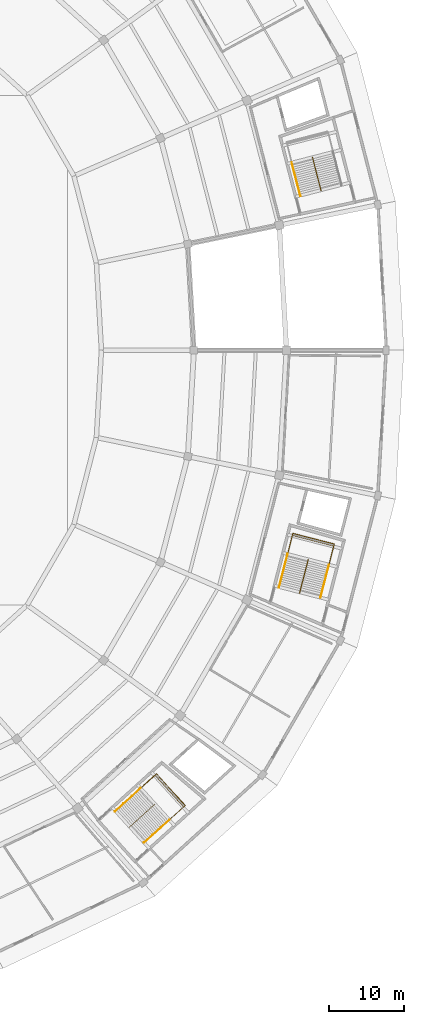
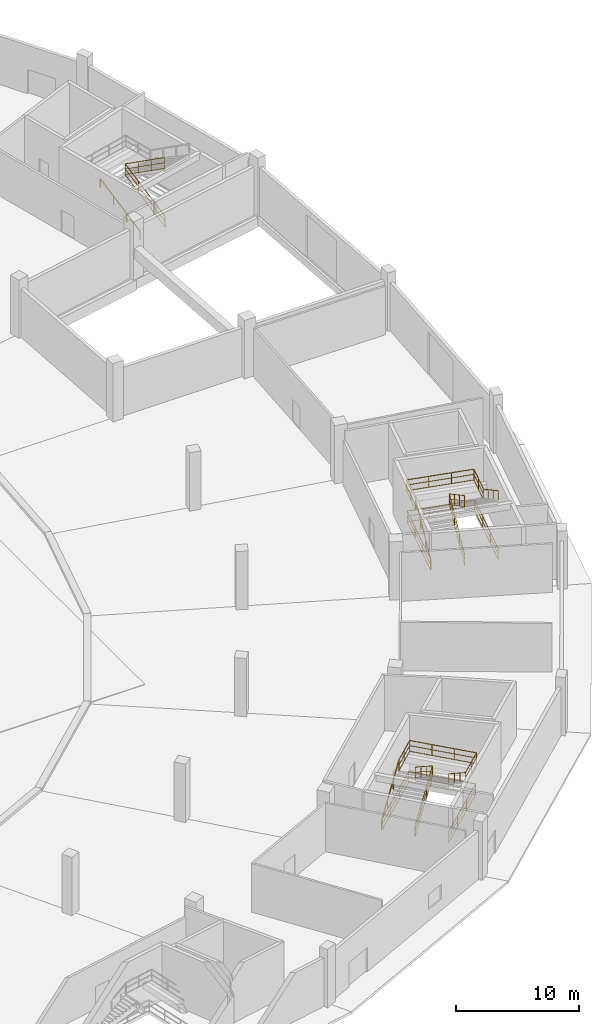
# One storey, part 45 of 48: 12 railings.
"""IFC4 building model written with IfcOpenShell, lengths in metres."""

from ifc_helpers import new_model, si_unit, direction, frame, origin, origin_2d, place, context, subcontext, project, spatial, rectangle, extrude, material, type_object, element, save


model = new_model("IFC4")

# Units and contexts
model_context = context("Model", 3, precision=1e-05, world=origin(), true_north=direction((0.0, 1.0)))
body_context = subcontext(model_context, "Body", "Model", "MODEL_VIEW")
ifc_project = project(units=[si_unit("LENGTHUNIT", "METRE"), si_unit("AREAUNIT", "SQUARE_METRE"), si_unit("VOLUMEUNIT", "CUBIC_METRE"), si_unit("PLANEANGLEUNIT", "RADIAN"), si_unit("MASSUNIT", "GRAM", prefix="KILO")], contexts=[model_context])

# Site, building, storey
site_placement = place(None, origin())
site = spatial("IfcSite", under=ifc_project, at=site_placement, CompositionType="ELEMENT")
building_placement = place(site_placement, origin())
building = spatial("IfcBuilding", under=site, at=building_placement, Name="Kazemori Nagisa Stadium", CompositionType="ELEMENT")
storey_placement = place(building_placement, origin())
storey = spatial("IfcBuildingStorey", under=building, at=storey_placement, Name="L00", CompositionType="ELEMENT", Elevation=0.0)

# Railings
ifc_material_1 = material(Name="Galvanised powder-coated steel", Category="steel")
railing_type_1 = type_object("IfcRailingType", Name="Rail_GUARD", PredefinedType="GUARDRAIL", material=ifc_material_1)
railing_1_placement = place(storey_placement, frame((209.31298828125, 123.2763671875, 0.0)))
element("IfcRailing", 1, at=railing_1_placement, inside=storey, type_object=railing_type_1, Name="Stair central guard ST07-L00", PredefinedType="GUARDRAIL", context=body_context, shape_type="SweptSolid", body=[
    extrude(rectangle(XDim=0.050048828125, YDim=0.050048828125, at=origin_2d()), frame((0.0, 0.0, 1.09521484375), z_axis=(-0.211793166726, 0.820384421027, 0.531143159859), x_axis=(-0.968254172483, -0.249967712854, 0.0)), (0.0, 0.0, 1.0), 5.44091796875),
    extrude(rectangle(XDim=0.03759765625, YDim=0.03759765625, at=origin_2d()), frame((0.0, 0.0, 0.58251953125), z_axis=(-0.211793166726, 0.820384421027, 0.531143159859), x_axis=(-0.968254172483, -0.249967712854, 0.0)), (0.0, 0.0, 1.0), 5.44091796875),
    extrude(rectangle(XDim=0.03759765625, YDim=0.03759765625, at=origin_2d()), frame((0.0, 0.0, 0.02490234375), z_axis=(-0.211793166726, 0.820384421027, 0.531143159859), x_axis=(-0.968254172483, -0.249967712854, 0.0)), (0.0, 0.0, 1.0), 5.44091796875),
    extrude(rectangle(XDim=0.050048828125, YDim=0.050048828125, at=origin_2d()), frame((-1.15234375, 4.463623046875, 3.98486328125), z_axis=(0.210725369025, -0.816276839134, 0.537854014342), x_axis=(0.968256288547, 0.249959516102, 0.0)), (0.0, 0.0, 1.0), 5.37353515625),
    extrude(rectangle(XDim=0.03759765625, YDim=0.03759765625, at=origin_2d()), frame((-1.15234375, 4.463623046875, 3.472412109375), z_axis=(0.210725369025, -0.816276839134, 0.537854014342), x_axis=(0.968256288547, 0.249959516102, 0.0)), (0.0, 0.0, 1.0), 5.37353515625),
    extrude(rectangle(XDim=0.03759765625, YDim=0.03759765625, at=origin_2d()), frame((-1.15234375, 4.463623046875, 2.9150390625), z_axis=(0.210725369025, -0.816276839134, 0.537854014342), x_axis=(0.968256288547, 0.249959516102, 0.0)), (0.0, 0.0, 1.0), 5.37353515625),
    extrude(rectangle(XDim=0.044921875, YDim=0.044921875, at=origin_2d()), origin(), (0.0, 0.0, 1.0), 1.070068359375),
    extrude(rectangle(XDim=0.044921875, YDim=0.044921875, at=origin_2d()), frame((-0.384033203125, 1.48779296875, 0.96337890625)), (0.0, 0.0, 1.0), 1.070068359375),
    extrude(rectangle(XDim=0.044921875, YDim=0.044921875, at=origin_2d()), frame((-0.768310546875, 2.975830078125, 1.926513671875)), (0.0, 0.0, 1.0), 1.070068359375),
    extrude(rectangle(XDim=0.044921875, YDim=0.044921875, at=origin_2d()), frame((-1.15234375, 4.463623046875, 2.889892578125)), (0.0, 0.0, 1.0), 1.070068359375),
    extrude(rectangle(XDim=0.044921875, YDim=0.044921875, at=origin_2d()), frame((-0.77490234375, 3.00146484375, 3.853271484375)), (0.0, 0.0, 1.0), 1.070068359375),
    extrude(rectangle(XDim=0.044921875, YDim=0.044921875, at=origin_2d()), frame((-0.3974609375, 1.53955078125, 4.816650390625)), (0.0, 0.0, 1.0), 1.070068359375),
    extrude(rectangle(XDim=0.044921875, YDim=0.044921875, at=origin_2d()), frame((-0.02001953125, 0.077392578125, 5.780029296875)), (0.0, 0.0, 1.0), 1.070068359375),
])
railing_2_placement = place(storey_placement, frame((181.87890625, 40.5205078125, 0.0)))
element("IfcRailing", 2, at=railing_2_placement, inside=storey, type_object=railing_type_1, Name="Stair well perimeter guard ST04-L00", PredefinedType="GUARDRAIL", context=body_context, shape_type="SweptSolid", body=[
    extrude(rectangle(XDim=0.050048828125, YDim=0.050048828125, at=origin_2d()), frame((0.0, 0.0, 1.09521484375), z_axis=(0.741333574744, 0.671136745349, 0.0), x_axis=(-0.671136745349, 0.741333574744, 0.0)), (0.0, 0.0, 1.0), 7.094970703125),
    extrude(rectangle(XDim=0.03759765625, YDim=0.03759765625, at=origin_2d()), frame((0.0, 0.0, 0.58251953125), z_axis=(0.741333574744, 0.671136745349, 0.0), x_axis=(-0.671136745349, 0.741333574744, 0.0)), (0.0, 0.0, 1.0), 7.094970703125),
    extrude(rectangle(XDim=0.03759765625, YDim=0.03759765625, at=origin_2d()), frame((0.0, 0.0, 0.02490234375), z_axis=(0.741333574744, 0.671136745349, 0.0), x_axis=(-0.671136745349, 0.741333574744, 0.0)), (0.0, 0.0, 1.0), 7.094970703125),
    extrude(rectangle(XDim=0.050048828125, YDim=0.050048828125, at=origin_2d()), frame((5.259765625, 4.76171875, 1.09521484375), z_axis=(0.671112926645, -0.74135513736, 0.0), x_axis=(0.74135513736, 0.671112926645, 0.0)), (0.0, 0.0, 1.0), 5.7001953125),
    extrude(rectangle(XDim=0.03759765625, YDim=0.03759765625, at=origin_2d()), frame((5.259765625, 4.76171875, 0.58251953125), z_axis=(0.671112926645, -0.74135513736, 0.0), x_axis=(0.74135513736, 0.671112926645, 0.0)), (0.0, 0.0, 1.0), 5.7001953125),
    extrude(rectangle(XDim=0.03759765625, YDim=0.03759765625, at=origin_2d()), frame((5.259765625, 4.76171875, 0.02490234375), z_axis=(0.671112926645, -0.74135513736, 0.0), x_axis=(0.74135513736, 0.671112926645, 0.0)), (0.0, 0.0, 1.0), 5.7001953125),
    extrude(rectangle(XDim=0.050048828125, YDim=0.050048828125, at=origin_2d()), frame((9.085205078125, 0.535888671875, 1.09521484375), z_axis=(-0.741366193318, -0.67110071331, 0.0), x_axis=(0.67110071331, -0.741366193318, 0.0)), (0.0, 0.0, 1.0), 7.094970703125),
    extrude(rectangle(XDim=0.03759765625, YDim=0.03759765625, at=origin_2d()), frame((9.085205078125, 0.535888671875, 0.58251953125), z_axis=(-0.741366193318, -0.67110071331, 0.0), x_axis=(0.67110071331, -0.741366193318, 0.0)), (0.0, 0.0, 1.0), 7.094970703125),
    extrude(rectangle(XDim=0.03759765625, YDim=0.03759765625, at=origin_2d()), frame((9.085205078125, 0.535888671875, 0.02490234375), z_axis=(-0.741366193318, -0.67110071331, 0.0), x_axis=(0.67110071331, -0.741366193318, 0.0)), (0.0, 0.0, 1.0), 7.094970703125),
    extrude(rectangle(XDim=0.044921875, YDim=0.044921875, at=origin_2d()), origin(), (0.0, 0.0, 1.0), 1.070068359375),
    extrude(rectangle(XDim=0.044921875, YDim=0.044921875, at=origin_2d()), frame((1.753173828125, 1.587158203125, 0.0)), (0.0, 0.0, 1.0), 1.070068359375),
    extrude(rectangle(XDim=0.044921875, YDim=0.044921875, at=origin_2d()), frame((3.506591796875, 3.174560546875, 0.0)), (0.0, 0.0, 1.0), 1.070068359375),
    extrude(rectangle(XDim=0.044921875, YDim=0.044921875, at=origin_2d()), frame((5.259765625, 4.76171875, 0.0)), (0.0, 0.0, 1.0), 1.070068359375),
    extrude(rectangle(XDim=0.044921875, YDim=0.044921875, at=origin_2d()), frame((6.534912109375, 3.35302734375, 0.0)), (0.0, 0.0, 1.0), 1.070068359375),
    extrude(rectangle(XDim=0.044921875, YDim=0.044921875, at=origin_2d()), frame((7.81005859375, 1.944580078125, 0.0)), (0.0, 0.0, 1.0), 1.070068359375),
    extrude(rectangle(XDim=0.044921875, YDim=0.044921875, at=origin_2d()), frame((9.085205078125, 0.535888671875, 0.0)), (0.0, 0.0, 1.0), 1.070068359375),
    extrude(rectangle(XDim=0.044921875, YDim=0.044921875, at=origin_2d()), frame((7.331787109375, -1.05126953125, 0.0)), (0.0, 0.0, 1.0), 1.070068359375),
    extrude(rectangle(XDim=0.044921875, YDim=0.044921875, at=origin_2d()), frame((5.57861328125, -2.638427734375, 0.0)), (0.0, 0.0, 1.0), 1.070068359375),
    extrude(rectangle(XDim=0.044921875, YDim=0.044921875, at=origin_2d()), frame((3.8251953125, -4.2255859375, 0.0)), (0.0, 0.0, 1.0), 1.070068359375),
])
railing_3_placement = place(storey_placement, frame((183.732177734375, 38.35400390625, 0.0)))
element("IfcRailing", 3, at=railing_3_placement, inside=storey, type_object=railing_type_1, Name="Stair central guard ST04-L00", PredefinedType="GUARDRAIL", context=body_context, shape_type="SweptSolid", body=[
    extrude(rectangle(XDim=0.050048828125, YDim=0.050048828125, at=origin_2d()), frame((0.0, 0.0, 1.09521484375), z_axis=(0.628151976789, 0.56860788984, 0.531140434977), x_axis=(-0.67109496205, 0.741371399443, 0.0)), (0.0, 0.0, 1.0), 5.44091796875),
    extrude(rectangle(XDim=0.03759765625, YDim=0.03759765625, at=origin_2d()), frame((0.0, 0.0, 0.58251953125), z_axis=(0.628151976789, 0.56860788984, 0.531140434977), x_axis=(-0.67109496205, 0.741371399443, 0.0)), (0.0, 0.0, 1.0), 5.44091796875),
    extrude(rectangle(XDim=0.03759765625, YDim=0.03759765625, at=origin_2d()), frame((0.0, 0.0, 0.02490234375), z_axis=(0.628151976789, 0.56860788984, 0.531140434977), x_axis=(-0.67109496205, 0.741371399443, 0.0)), (0.0, 0.0, 1.0), 5.44091796875),
    extrude(rectangle(XDim=0.050048828125, YDim=0.050048828125, at=origin_2d()), frame((3.417724609375, 3.09375, 3.98486328125), z_axis=(-0.625002843715, -0.565755700054, 0.537858655415), x_axis=(0.671093937898, -0.741372326511, 0.0)), (0.0, 0.0, 1.0), 5.373291015625),
    extrude(rectangle(XDim=0.03759765625, YDim=0.03759765625, at=origin_2d()), frame((3.417724609375, 3.09375, 3.472412109375), z_axis=(-0.625002843715, -0.565755700054, 0.537858655415), x_axis=(0.671093937898, -0.741372326511, 0.0)), (0.0, 0.0, 1.0), 5.373291015625),
    extrude(rectangle(XDim=0.03759765625, YDim=0.03759765625, at=origin_2d()), frame((3.417724609375, 3.09375, 2.9150390625), z_axis=(-0.625002843715, -0.565755700054, 0.537858655415), x_axis=(0.671093937898, -0.741372326511, 0.0)), (0.0, 0.0, 1.0), 5.373291015625),
    extrude(rectangle(XDim=0.044921875, YDim=0.044921875, at=origin_2d()), origin(), (0.0, 0.0, 1.0), 1.070068359375),
    extrude(rectangle(XDim=0.044921875, YDim=0.044921875, at=origin_2d()), frame((1.13916015625, 1.03125, 0.96337890625)), (0.0, 0.0, 1.0), 1.070068359375),
    extrude(rectangle(XDim=0.044921875, YDim=0.044921875, at=origin_2d()), frame((2.278564453125, 2.0625, 1.926513671875)), (0.0, 0.0, 1.0), 1.070068359375),
    extrude(rectangle(XDim=0.044921875, YDim=0.044921875, at=origin_2d()), frame((3.417724609375, 3.09375, 2.889892578125)), (0.0, 0.0, 1.0), 1.070068359375),
    extrude(rectangle(XDim=0.044921875, YDim=0.044921875, at=origin_2d()), frame((2.29833984375, 2.080322265625, 3.853271484375)), (0.0, 0.0, 1.0), 1.070068359375),
    extrude(rectangle(XDim=0.044921875, YDim=0.044921875, at=origin_2d()), frame((1.1787109375, 1.067138671875, 4.816650390625)), (0.0, 0.0, 1.0), 1.070068359375),
    extrude(rectangle(XDim=0.044921875, YDim=0.044921875, at=origin_2d()), frame((0.059326171875, 0.0537109375, 5.780029296875)), (0.0, 0.0, 1.0), 1.070068359375),
])
railing_4_placement = place(storey_placement, frame((185.237060546875, 43.560791015625, 2.889892578125)))
element("IfcRailing", 4, at=railing_4_placement, inside=storey, type_object=railing_type_1, Name="Stair landing guard ST04-L00", PredefinedType="GUARDRAIL", context=body_context, shape_type="SweptSolid", body=[
    extrude(rectangle(XDim=0.050048828125, YDim=0.050048828125, at=origin_2d()), frame((0.0, 0.0, 1.09521484375), z_axis=(0.741395736118, 0.671068075881, 0.0), x_axis=(-0.671068075881, 0.741395736118, 0.0)), (0.0, 0.0, 1.0), 2.85009765625),
    extrude(rectangle(XDim=0.03759765625, YDim=0.03759765625, at=origin_2d()), frame((0.0, 0.0, 0.58251953125), z_axis=(0.741395736118, 0.671068075881, 0.0), x_axis=(-0.671068075881, 0.741395736118, 0.0)), (0.0, 0.0, 1.0), 2.85009765625),
    extrude(rectangle(XDim=0.03759765625, YDim=0.03759765625, at=origin_2d()), frame((0.0, 0.0, 0.02490234375), z_axis=(0.741395736118, 0.671068075881, 0.0), x_axis=(-0.671068075881, 0.741395736118, 0.0)), (0.0, 0.0, 1.0), 2.85009765625),
    extrude(rectangle(XDim=0.050048828125, YDim=0.050048828125, at=origin_2d()), frame((2.113037109375, 1.91259765625, 1.09521484375), z_axis=(0.671110696127, -0.741357156534, 0.0), x_axis=(0.741357156534, 0.671110696127, 0.0)), (0.0, 0.0, 1.0), 5.69970703125),
    extrude(rectangle(XDim=0.03759765625, YDim=0.03759765625, at=origin_2d()), frame((2.113037109375, 1.91259765625, 0.58251953125), z_axis=(0.671110696127, -0.741357156534, 0.0), x_axis=(0.741357156534, 0.671110696127, 0.0)), (0.0, 0.0, 1.0), 5.69970703125),
    extrude(rectangle(XDim=0.03759765625, YDim=0.03759765625, at=origin_2d()), frame((2.113037109375, 1.91259765625, 0.02490234375), z_axis=(0.671110696127, -0.741357156534, 0.0), x_axis=(0.741357156534, 0.671110696127, 0.0)), (0.0, 0.0, 1.0), 5.69970703125),
    extrude(rectangle(XDim=0.050048828125, YDim=0.050048828125, at=origin_2d()), frame((5.938232421875, -2.31298828125, 1.09521484375), z_axis=(-0.741314535645, -0.671157775223, 0.0), x_axis=(0.671157775223, -0.741314535645, 0.0)), (0.0, 0.0, 1.0), 2.85009765625),
    extrude(rectangle(XDim=0.03759765625, YDim=0.03759765625, at=origin_2d()), frame((5.938232421875, -2.31298828125, 0.58251953125), z_axis=(-0.741314535645, -0.671157775223, 0.0), x_axis=(0.671157775223, -0.741314535645, 0.0)), (0.0, 0.0, 1.0), 2.85009765625),
    extrude(rectangle(XDim=0.03759765625, YDim=0.03759765625, at=origin_2d()), frame((5.938232421875, -2.31298828125, 0.02490234375), z_axis=(-0.741314535645, -0.671157775223, 0.0), x_axis=(0.671157775223, -0.741314535645, 0.0)), (0.0, 0.0, 1.0), 2.85009765625),
    extrude(rectangle(XDim=0.044921875, YDim=0.044921875, at=origin_2d()), origin(), (0.0, 0.0, 1.0), 1.070068359375),
    extrude(rectangle(XDim=0.044921875, YDim=0.044921875, at=origin_2d()), frame((1.056640625, 0.956298828125, 0.0)), (0.0, 0.0, 1.0), 1.070068359375),
    extrude(rectangle(XDim=0.044921875, YDim=0.044921875, at=origin_2d()), frame((2.113037109375, 1.91259765625, 0.0)), (0.0, 0.0, 1.0), 1.070068359375),
    extrude(rectangle(XDim=0.044921875, YDim=0.044921875, at=origin_2d()), frame((3.38818359375, 0.504150390625, 0.0)), (0.0, 0.0, 1.0), 1.070068359375),
    extrude(rectangle(XDim=0.044921875, YDim=0.044921875, at=origin_2d()), frame((4.6630859375, -0.904541015625, 0.0)), (0.0, 0.0, 1.0), 1.070068359375),
    extrude(rectangle(XDim=0.044921875, YDim=0.044921875, at=origin_2d()), frame((5.938232421875, -2.31298828125, 0.0)), (0.0, 0.0, 1.0), 1.070068359375),
    extrude(rectangle(XDim=0.044921875, YDim=0.044921875, at=origin_2d()), frame((4.8818359375, -3.26953125, 0.0)), (0.0, 0.0, 1.0), 1.070068359375),
    extrude(rectangle(XDim=0.044921875, YDim=0.044921875, at=origin_2d()), frame((3.825439453125, -4.225830078125, 0.0)), (0.0, 0.0, 1.0), 1.070068359375),
])
railing_5_placement = place(storey_placement, frame((203.708740234375, 70.41650390625, 0.0)))
element("IfcRailing", 5, at=railing_5_placement, inside=storey, type_object=railing_type_1, Name="Stair well perimeter guard ST10-L00", PredefinedType="GUARDRAIL", context=body_context, shape_type="SweptSolid", body=[
    extrude(rectangle(XDim=0.050048828125, YDim=0.050048828125, at=origin_2d()), frame((0.0, 0.0, 1.09521484375), z_axis=(0.249961275856, 0.968255834257, 0.0), x_axis=(-0.968255834257, 0.249961275856, 0.0)), (0.0, 0.0, 1.0), 7.094970703125),
    extrude(rectangle(XDim=0.03759765625, YDim=0.03759765625, at=origin_2d()), frame((0.0, 0.0, 0.58251953125), z_axis=(0.249961275856, 0.968255834257, 0.0), x_axis=(-0.968255834257, 0.249961275856, 0.0)), (0.0, 0.0, 1.0), 7.094970703125),
    extrude(rectangle(XDim=0.03759765625, YDim=0.03759765625, at=origin_2d()), frame((0.0, 0.0, 0.02490234375), z_axis=(0.249961275856, 0.968255834257, 0.0), x_axis=(-0.968255834257, 0.249961275856, 0.0)), (0.0, 0.0, 1.0), 7.094970703125),
    extrude(rectangle(XDim=0.050048828125, YDim=0.050048828125, at=origin_2d()), frame((1.7734375, 6.86962890625, 1.09521484375), z_axis=(0.968254587534, -0.249966105142, 0.0), x_axis=(0.249966105142, 0.968254587534, 0.0)), (0.0, 0.0, 1.0), 5.699951171875),
    extrude(rectangle(XDim=0.03759765625, YDim=0.03759765625, at=origin_2d()), frame((1.7734375, 6.86962890625, 0.58251953125), z_axis=(0.968254587534, -0.249966105142, 0.0), x_axis=(0.249966105142, 0.968254587534, 0.0)), (0.0, 0.0, 1.0), 5.699951171875),
    extrude(rectangle(XDim=0.03759765625, YDim=0.03759765625, at=origin_2d()), frame((1.7734375, 6.86962890625, 0.02490234375), z_axis=(0.968254587534, -0.249966105142, 0.0), x_axis=(0.249966105142, 0.968254587534, 0.0)), (0.0, 0.0, 1.0), 5.699951171875),
    extrude(rectangle(XDim=0.050048828125, YDim=0.050048828125, at=origin_2d()), frame((7.29248046875, 5.44482421875, 1.09521484375), z_axis=(-0.249961275856, -0.968255834257, 0.0), x_axis=(0.968255834257, -0.249961275856, 0.0)), (0.0, 0.0, 1.0), 7.094970703125),
    extrude(rectangle(XDim=0.03759765625, YDim=0.03759765625, at=origin_2d()), frame((7.29248046875, 5.44482421875, 0.58251953125), z_axis=(-0.249961275856, -0.968255834257, 0.0), x_axis=(0.968255834257, -0.249961275856, 0.0)), (0.0, 0.0, 1.0), 7.094970703125),
    extrude(rectangle(XDim=0.03759765625, YDim=0.03759765625, at=origin_2d()), frame((7.29248046875, 5.44482421875, 0.02490234375), z_axis=(-0.249961275856, -0.968255834257, 0.0), x_axis=(0.968255834257, -0.249961275856, 0.0)), (0.0, 0.0, 1.0), 7.094970703125),
    extrude(rectangle(XDim=0.044921875, YDim=0.044921875, at=origin_2d()), origin(), (0.0, 0.0, 1.0), 1.070068359375),
    extrude(rectangle(XDim=0.044921875, YDim=0.044921875, at=origin_2d()), frame((0.591064453125, 2.289794921875, 0.0)), (0.0, 0.0, 1.0), 1.070068359375),
    extrude(rectangle(XDim=0.044921875, YDim=0.044921875, at=origin_2d()), frame((1.182373046875, 4.579833984375, 0.0)), (0.0, 0.0, 1.0), 1.070068359375),
    extrude(rectangle(XDim=0.044921875, YDim=0.044921875, at=origin_2d()), frame((1.7734375, 6.86962890625, 0.0)), (0.0, 0.0, 1.0), 1.070068359375),
    extrude(rectangle(XDim=0.044921875, YDim=0.044921875, at=origin_2d()), frame((3.613037109375, 6.394775390625, 0.0)), (0.0, 0.0, 1.0), 1.070068359375),
    extrude(rectangle(XDim=0.044921875, YDim=0.044921875, at=origin_2d()), frame((5.452880859375, 5.919677734375, 0.0)), (0.0, 0.0, 1.0), 1.070068359375),
    extrude(rectangle(XDim=0.044921875, YDim=0.044921875, at=origin_2d()), frame((7.29248046875, 5.44482421875, 0.0)), (0.0, 0.0, 1.0), 1.070068359375),
    extrude(rectangle(XDim=0.044921875, YDim=0.044921875, at=origin_2d()), frame((6.701416015625, 3.155029296875, 0.0)), (0.0, 0.0, 1.0), 1.070068359375),
    extrude(rectangle(XDim=0.044921875, YDim=0.044921875, at=origin_2d()), frame((6.110107421875, 0.864990234375, 0.0)), (0.0, 0.0, 1.0), 1.070068359375),
    extrude(rectangle(XDim=0.044921875, YDim=0.044921875, at=origin_2d()), frame((5.51904296875, -1.4248046875, 0.0)), (0.0, 0.0, 1.0), 1.070068359375),
])
railing_6_placement = place(storey_placement, frame((206.4482421875, 69.626708984375, 0.0)))
element("IfcRailing", 6, at=railing_6_placement, inside=storey, type_object=railing_type_1, Name="Stair central guard ST10-L00", PredefinedType="GUARDRAIL", context=body_context, shape_type="SweptSolid", body=[
    extrude(rectangle(XDim=0.050048828125, YDim=0.050048828125, at=origin_2d()), frame((0.0, 0.0, 1.09521484375), z_axis=(0.211793166726, 0.820384421027, 0.531143159859), x_axis=(-0.968254172483, 0.249967712854, 0.0)), (0.0, 0.0, 1.0), 5.44091796875),
    extrude(rectangle(XDim=0.03759765625, YDim=0.03759765625, at=origin_2d()), frame((0.0, 0.0, 0.58251953125), z_axis=(0.211793166726, 0.820384421027, 0.531143159859), x_axis=(-0.968254172483, 0.249967712854, 0.0)), (0.0, 0.0, 1.0), 5.44091796875),
    extrude(rectangle(XDim=0.03759765625, YDim=0.03759765625, at=origin_2d()), frame((0.0, 0.0, 0.02490234375), z_axis=(0.211793166726, 0.820384421027, 0.531143159859), x_axis=(-0.968254172483, 0.249967712854, 0.0)), (0.0, 0.0, 1.0), 5.44091796875),
    extrude(rectangle(XDim=0.050048828125, YDim=0.050048828125, at=origin_2d()), frame((1.15234375, 4.463623046875, 3.98486328125), z_axis=(-0.210725369025, -0.816276839134, 0.537854014342), x_axis=(0.968256288547, -0.249959516102, 0.0)), (0.0, 0.0, 1.0), 5.37353515625),
    extrude(rectangle(XDim=0.03759765625, YDim=0.03759765625, at=origin_2d()), frame((1.15234375, 4.463623046875, 3.472412109375), z_axis=(-0.210725369025, -0.816276839134, 0.537854014342), x_axis=(0.968256288547, -0.249959516102, 0.0)), (0.0, 0.0, 1.0), 5.37353515625),
    extrude(rectangle(XDim=0.03759765625, YDim=0.03759765625, at=origin_2d()), frame((1.15234375, 4.463623046875, 2.9150390625), z_axis=(-0.210725369025, -0.816276839134, 0.537854014342), x_axis=(0.968256288547, -0.249959516102, 0.0)), (0.0, 0.0, 1.0), 5.37353515625),
    extrude(rectangle(XDim=0.044921875, YDim=0.044921875, at=origin_2d()), origin(), (0.0, 0.0, 1.0), 1.070068359375),
    extrude(rectangle(XDim=0.044921875, YDim=0.044921875, at=origin_2d()), frame((0.384033203125, 1.48779296875, 0.96337890625)), (0.0, 0.0, 1.0), 1.070068359375),
    extrude(rectangle(XDim=0.044921875, YDim=0.044921875, at=origin_2d()), frame((0.768310546875, 2.975830078125, 1.926513671875)), (0.0, 0.0, 1.0), 1.070068359375),
    extrude(rectangle(XDim=0.044921875, YDim=0.044921875, at=origin_2d()), frame((1.15234375, 4.463623046875, 2.889892578125)), (0.0, 0.0, 1.0), 1.070068359375),
    extrude(rectangle(XDim=0.044921875, YDim=0.044921875, at=origin_2d()), frame((0.77490234375, 3.00146484375, 3.853271484375)), (0.0, 0.0, 1.0), 1.070068359375),
    extrude(rectangle(XDim=0.044921875, YDim=0.044921875, at=origin_2d()), frame((0.3974609375, 1.53955078125, 4.816650390625)), (0.0, 0.0, 1.0), 1.070068359375),
    extrude(rectangle(XDim=0.044921875, YDim=0.044921875, at=origin_2d()), frame((0.02001953125, 0.077392578125, 5.780029296875)), (0.0, 0.0, 1.0), 1.070068359375),
])
railing_7_placement = place(storey_placement, frame((204.841064453125, 74.802734375, 2.889892578125)))
element("IfcRailing", 7, at=railing_7_placement, inside=storey, type_object=railing_type_1, Name="Stair landing guard ST10-L00", PredefinedType="GUARDRAIL", context=body_context, shape_type="SweptSolid", body=[
    extrude(rectangle(XDim=0.050048828125, YDim=0.050048828125, at=origin_2d()), frame((0.0, 0.0, 1.09521484375), z_axis=(0.249966105142, 0.968254587534, 0.0), x_axis=(-0.968254587534, 0.249966105142, 0.0)), (0.0, 0.0, 1.0), 2.85009765625),
    extrude(rectangle(XDim=0.03759765625, YDim=0.03759765625, at=origin_2d()), frame((0.0, 0.0, 0.58251953125), z_axis=(0.249966105142, 0.968254587534, 0.0), x_axis=(-0.968254587534, 0.249966105142, 0.0)), (0.0, 0.0, 1.0), 2.85009765625),
    extrude(rectangle(XDim=0.03759765625, YDim=0.03759765625, at=origin_2d()), frame((0.0, 0.0, 0.02490234375), z_axis=(0.249966105142, 0.968254587534, 0.0), x_axis=(-0.968254587534, 0.249966105142, 0.0)), (0.0, 0.0, 1.0), 2.85009765625),
    extrude(rectangle(XDim=0.050048828125, YDim=0.050048828125, at=origin_2d()), frame((0.71240234375, 2.759521484375, 1.09521484375), z_axis=(0.968254587534, -0.249966105142, 0.0), x_axis=(0.249966105142, 0.968254587534, 0.0)), (0.0, 0.0, 1.0), 5.699951171875),
    extrude(rectangle(XDim=0.03759765625, YDim=0.03759765625, at=origin_2d()), frame((0.71240234375, 2.759521484375, 0.58251953125), z_axis=(0.968254587534, -0.249966105142, 0.0), x_axis=(0.249966105142, 0.968254587534, 0.0)), (0.0, 0.0, 1.0), 5.699951171875),
    extrude(rectangle(XDim=0.03759765625, YDim=0.03759765625, at=origin_2d()), frame((0.71240234375, 2.759521484375, 0.02490234375), z_axis=(0.968254587534, -0.249966105142, 0.0), x_axis=(0.249966105142, 0.968254587534, 0.0)), (0.0, 0.0, 1.0), 5.699951171875),
    extrude(rectangle(XDim=0.050048828125, YDim=0.050048828125, at=origin_2d()), frame((6.2314453125, 1.334716796875, 1.09521484375), z_axis=(-0.249966105142, -0.968254587534, 0.0), x_axis=(0.968254587534, -0.249966105142, 0.0)), (0.0, 0.0, 1.0), 2.85009765625),
    extrude(rectangle(XDim=0.03759765625, YDim=0.03759765625, at=origin_2d()), frame((6.2314453125, 1.334716796875, 0.58251953125), z_axis=(-0.249966105142, -0.968254587534, 0.0), x_axis=(0.968254587534, -0.249966105142, 0.0)), (0.0, 0.0, 1.0), 2.85009765625),
    extrude(rectangle(XDim=0.03759765625, YDim=0.03759765625, at=origin_2d()), frame((6.2314453125, 1.334716796875, 0.02490234375), z_axis=(-0.249966105142, -0.968254587534, 0.0), x_axis=(0.968254587534, -0.249966105142, 0.0)), (0.0, 0.0, 1.0), 2.85009765625),
    extrude(rectangle(XDim=0.044921875, YDim=0.044921875, at=origin_2d()), origin(), (0.0, 0.0, 1.0), 1.070068359375),
    extrude(rectangle(XDim=0.044921875, YDim=0.044921875, at=origin_2d()), frame((0.356201171875, 1.3798828125, 0.0)), (0.0, 0.0, 1.0), 1.070068359375),
    extrude(rectangle(XDim=0.044921875, YDim=0.044921875, at=origin_2d()), frame((0.71240234375, 2.759521484375, 0.0)), (0.0, 0.0, 1.0), 1.070068359375),
    extrude(rectangle(XDim=0.044921875, YDim=0.044921875, at=origin_2d()), frame((2.552001953125, 2.28466796875, 0.0)), (0.0, 0.0, 1.0), 1.070068359375),
    extrude(rectangle(XDim=0.044921875, YDim=0.044921875, at=origin_2d()), frame((4.391845703125, 1.8095703125, 0.0)), (0.0, 0.0, 1.0), 1.070068359375),
    extrude(rectangle(XDim=0.044921875, YDim=0.044921875, at=origin_2d()), frame((6.2314453125, 1.334716796875, 0.0)), (0.0, 0.0, 1.0), 1.070068359375),
    extrude(rectangle(XDim=0.044921875, YDim=0.044921875, at=origin_2d()), frame((5.875244140625, -0.044921875, 0.0)), (0.0, 0.0, 1.0), 1.070068359375),
    extrude(rectangle(XDim=0.044921875, YDim=0.044921875, at=origin_2d()), frame((5.51904296875, -1.4248046875, 0.0)), (0.0, 0.0, 1.0), 1.070068359375),
])
ifc_material_2 = material(Name="Stainless steel SUS304", Category="steel")
railing_type_2 = type_object("IfcRailingType", Name="Rail_HAND", PredefinedType="HANDRAIL", material=ifc_material_2)
railing_8_placement = place(storey_placement, frame((206.553466796875, 122.56396484375, 0.169921875)))
element("IfcRailing", 8, at=railing_8_placement, inside=storey, type_object=railing_type_2, Name="Stair handrail ST07-L00-F1", PredefinedType="HANDRAIL", context=body_context, shape_type="SweptSolid", body=[
    extrude(rectangle(XDim=0.050048828125, YDim=0.050048828125, at=origin_2d()), frame((0.0, 0.0, 0.875), z_axis=(-0.211788118994, 0.820364868551, 0.531175371323), x_axis=(-0.968254172483, -0.249967712854, 0.0)), (0.0, 0.0, 1.0), 5.44091796875),
    extrude(rectangle(XDim=0.044921875, YDim=0.044921875, at=origin_2d()), origin(), (0.0, 0.0, 1.0), 0.849853515625),
    extrude(rectangle(XDim=0.044921875, YDim=0.044921875, at=origin_2d()), frame((-0.384033203125, 1.48779296875, 0.96337890625)), (0.0, 0.0, 1.0), 0.849853515625),
    extrude(rectangle(XDim=0.044921875, YDim=0.044921875, at=origin_2d()), frame((-0.768310546875, 2.975830078125, 1.9267578125)), (0.0, 0.0, 1.0), 0.849853515625),
    extrude(rectangle(XDim=0.044921875, YDim=0.044921875, at=origin_2d()), frame((-1.15234375, 4.463623046875, 2.89013671875)), (0.0, 0.0, 1.0), 0.849853515625),
])
railing_9_placement = place(storey_placement, frame((181.819580078125, 40.466796875, 0.169921875)))
element("IfcRailing", 9, at=railing_9_placement, inside=storey, type_object=railing_type_2, Name="Stair handrail ST04-L00-F1", PredefinedType="HANDRAIL", context=body_context, shape_type="SweptSolid", body=[
    extrude(rectangle(XDim=0.050048828125, YDim=0.050048828125, at=origin_2d()), frame((0.0, 0.0, 0.875), z_axis=(0.628093812676, 0.568640726392, 0.53117406447), x_axis=(-0.671150416917, 0.741321197507, 0.0)), (0.0, 0.0, 1.0), 5.44091796875),
    extrude(rectangle(XDim=0.044921875, YDim=0.044921875, at=origin_2d()), origin(), (0.0, 0.0, 1.0), 0.849853515625),
    extrude(rectangle(XDim=0.044921875, YDim=0.044921875, at=origin_2d()), frame((1.13916015625, 1.03125, 0.96337890625)), (0.0, 0.0, 1.0), 0.849853515625),
    extrude(rectangle(XDim=0.044921875, YDim=0.044921875, at=origin_2d()), frame((2.2783203125, 2.062744140625, 1.9267578125)), (0.0, 0.0, 1.0), 0.849853515625),
    extrude(rectangle(XDim=0.044921875, YDim=0.044921875, at=origin_2d()), frame((3.41748046875, 3.093994140625, 2.89013671875)), (0.0, 0.0, 1.0), 0.849853515625),
])
railing_10_placement = place(storey_placement, frame((189.0625, 39.3349609375, 3.06005859375)))
element("IfcRailing", 10, at=railing_10_placement, inside=storey, type_object=railing_type_2, Name="Stair handrail ST04-L00-F2", PredefinedType="HANDRAIL", context=body_context, shape_type="SweptSolid", body=[
    extrude(rectangle(XDim=0.050048828125, YDim=0.050048828125, at=origin_2d()), frame((0.0, 0.0, 0.875), z_axis=(-0.625018117179, -0.56576952567, 0.537826363263), x_axis=(0.671093937898, -0.741372326511, 0.0)), (0.0, 0.0, 1.0), 5.373291015625),
    extrude(rectangle(XDim=0.044921875, YDim=0.044921875, at=origin_2d()), origin(), (0.0, 0.0, 1.0), 0.849853515625),
    extrude(rectangle(XDim=0.044921875, YDim=0.044921875, at=origin_2d()), frame((-1.119384765625, -1.013427734375, 0.96337890625)), (0.0, 0.0, 1.0), 0.849853515625),
    extrude(rectangle(XDim=0.044921875, YDim=0.044921875, at=origin_2d()), frame((-2.239013671875, -2.026611328125, 1.926513671875)), (0.0, 0.0, 1.0), 0.849853515625),
    extrude(rectangle(XDim=0.044921875, YDim=0.044921875, at=origin_2d()), frame((-3.3583984375, -3.0400390625, 2.889892578125)), (0.0, 0.0, 1.0), 0.849853515625),
])
railing_11_placement = place(storey_placement, frame((203.688720703125, 70.3388671875, 0.169921875)))
element("IfcRailing", 11, at=railing_11_placement, inside=storey, type_object=railing_type_2, Name="Stair handrail ST10-L00-F1", PredefinedType="HANDRAIL", context=body_context, shape_type="SweptSolid", body=[
    extrude(rectangle(XDim=0.050048828125, YDim=0.050048828125, at=origin_2d()), frame((0.0, 0.0, 0.875), z_axis=(0.211780323275, 0.820379540416, 0.531155819265), x_axis=(-0.968257481327, 0.249954895639, 0.0)), (0.0, 0.0, 1.0), 5.441162109375),
    extrude(rectangle(XDim=0.044921875, YDim=0.044921875, at=origin_2d()), origin(), (0.0, 0.0, 1.0), 0.849853515625),
    extrude(rectangle(XDim=0.044921875, YDim=0.044921875, at=origin_2d()), frame((0.384033203125, 1.488037109375, 0.96337890625)), (0.0, 0.0, 1.0), 0.849853515625),
    extrude(rectangle(XDim=0.044921875, YDim=0.044921875, at=origin_2d()), frame((0.768310546875, 2.975830078125, 1.9267578125)), (0.0, 0.0, 1.0), 0.849853515625),
    extrude(rectangle(XDim=0.044921875, YDim=0.044921875, at=origin_2d()), frame((1.15234375, 4.4638671875, 2.89013671875)), (0.0, 0.0, 1.0), 0.849853515625),
])
railing_12_placement = place(storey_placement, frame((210.360107421875, 73.3779296875, 3.06005859375)))
element("IfcRailing", 12, at=railing_12_placement, inside=storey, type_object=railing_type_2, Name="Stair handrail ST10-L00-F2", PredefinedType="HANDRAIL", context=body_context, shape_type="SweptSolid", body=[
    extrude(rectangle(XDim=0.050048828125, YDim=0.050048828125, at=origin_2d()), frame((0.0, 0.0, 0.875), z_axis=(-0.210730518523, -0.816296786499, 0.537821722241), x_axis=(0.968256288547, -0.249959516102, 0.0)), (0.0, 0.0, 1.0), 5.373291015625),
    extrude(rectangle(XDim=0.044921875, YDim=0.044921875, at=origin_2d()), origin(), (0.0, 0.0, 1.0), 0.849853515625),
    extrude(rectangle(XDim=0.044921875, YDim=0.044921875, at=origin_2d()), frame((-0.37744140625, -1.462158203125, 0.96337890625)), (0.0, 0.0, 1.0), 0.849853515625),
    extrude(rectangle(XDim=0.044921875, YDim=0.044921875, at=origin_2d()), frame((-0.7548828125, -2.924072265625, 1.926513671875)), (0.0, 0.0, 1.0), 0.849853515625),
    extrude(rectangle(XDim=0.044921875, YDim=0.044921875, at=origin_2d()), frame((-1.13232421875, -4.38623046875, 2.889892578125)), (0.0, 0.0, 1.0), 0.849853515625),
])

save(model, "model.ifc")
